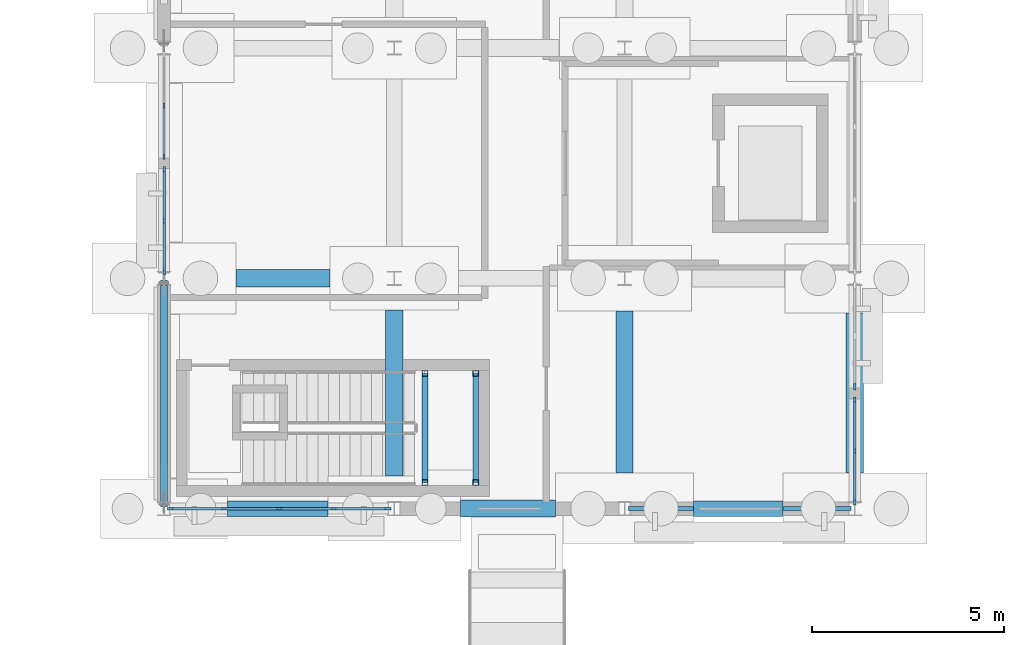
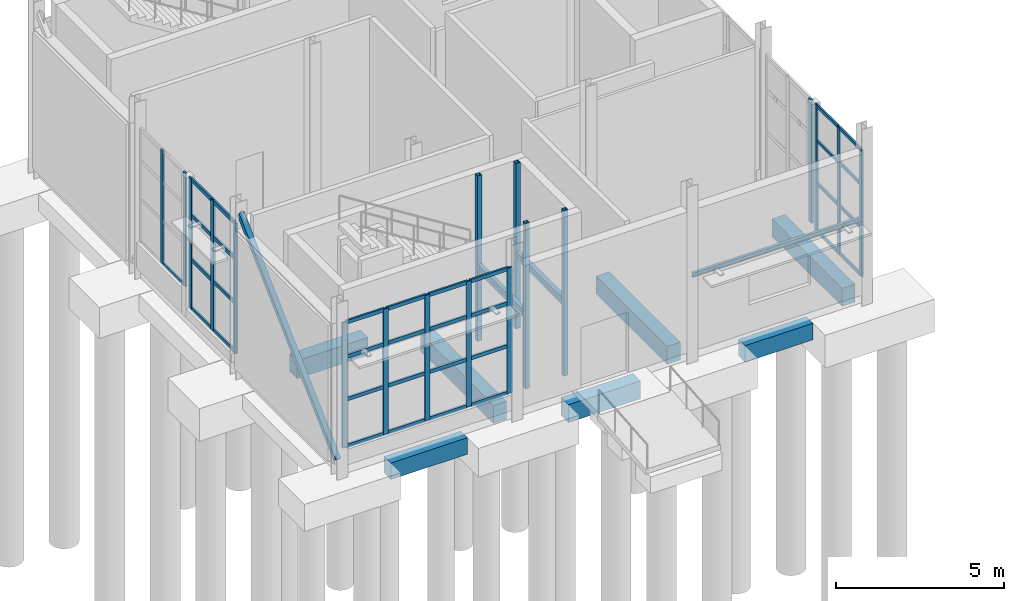
# One storey, part 50 of 120: 52 members, 10 beams, 5 elements without a shape of their own.
"""IFC4 building model written with IfcOpenShell, lengths in metres."""

from ifc_helpers import new_model, si_unit, direction, frame, origin, origin_2d, place, context, subcontext, project, spatial, rectangle, hollow_rectangle, i_section, extrude, material, material_profile, profile_set, type_object, element, aggregate, save


model = new_model("IFC4")

# Units and contexts
model_context = context("Model", 3, precision=1e-05, world=origin(), true_north=direction((0.0, 1.0)))
body_context = subcontext(model_context, "Body", "Model", "MODEL_VIEW")
ifc_project = project(units=[si_unit("LENGTHUNIT", "METRE"), si_unit("AREAUNIT", "SQUARE_METRE"), si_unit("VOLUMEUNIT", "CUBIC_METRE"), si_unit("PLANEANGLEUNIT", "RADIAN"), si_unit("MASSUNIT", "GRAM", prefix="KILO")], contexts=[model_context])

# Site, building, storey
site_placement = place(None, origin())
site = spatial("IfcSite", under=ifc_project, at=site_placement, CompositionType="ELEMENT")
building_placement = place(site_placement, origin())
building = spatial("IfcBuilding", under=site, at=building_placement, Name="Siltcreek Boulevard Central Fire Station", CompositionType="ELEMENT")
storey_placement = place(building_placement, origin())
storey = spatial("IfcBuildingStorey", under=building, at=storey_placement, Name="L01", CompositionType="ELEMENT", Elevation=0.0)

# Members
ifc_material_1 = material(Name="Structural steel ASTM A500 GrC", Category="steel")
ifc_material_profile_1 = material_profile(ifc_material_1, hollow_rectangle(XDim=0.14990234375, YDim=0.14990234375, WallThickness=0.008056640625, at=origin_2d()), Name="HSS150X150X8.0")
ifc_profile_set_1 = profile_set([ifc_material_profile_1], Name="Structural steel ASTM A500 GrC")
member_type_1 = type_object("IfcMemberType", Name="BR_HSS150_8", PredefinedType="BRACE", material=ifc_profile_set_1)
for number, where, z_axis, x_axis, name in (
    (1, (48.800048828125, 94.8798828125, 0.0), (0.0, 0.0, 1.0), (1.0, 0.0, 0.0), "L01 ST-V3A stair landing corner post SW"),
    (2, (48.800048828125, 97.719970703125, 0.0), (0.0, 0.0, 1.0), (1.0, 0.0, 0.0), "L01 ST-V3A stair landing corner post NW"),
    (3, (50.1201171875, 94.8798828125, 0.0), (0.0, 0.0, 1.0), (1.0, 0.0, 0.0), "L01 ST-V3A stair landing corner post SE"),
    (4, (50.1201171875, 97.719970703125, 0.0), (0.0, 0.0, 1.0), (1.0, 0.0, 0.0), "L01 ST-V3A stair landing corner post NE"),
):
    element("IfcMember", number, at=place(storey_placement, frame(where, z_axis=z_axis, x_axis=x_axis)), inside=storey, type_object=member_type_1, Name=name, PredefinedType="BRACE", context=body_context, shape_type="SweptSolid", body=[
        extrude(hollow_rectangle(XDim=0.14990234375, YDim=0.14990234375, WallThickness=0.008056640625, at=origin_2d()), origin(), (0.0, 0.0, 1.0), 6.0),
    ])
ifc_material_profile_2 = material_profile(ifc_material_1, hollow_rectangle(XDim=0.179931640625, YDim=0.179931640625, WallThickness=0.008056640625, at=origin_2d()), Name="HSS180X180X8.0")
ifc_profile_set_2 = profile_set([ifc_material_profile_2], Name="Structural steel ASTM A500 GrC")
member_type_2 = type_object("IfcMemberType", Name="BR_HSS180", PredefinedType="BRACE", material=ifc_profile_set_2)
member_1_placement = place(storey_placement, frame((42.0, 94.320068359375, 0.10009765625), z_axis=(0.0, 0.726386990368, 0.687285923197), x_axis=(-1.0, 0.0, 0.0)))
element("IfcMember", 5, at=member_1_placement, inside=storey, type_object=member_type_2, Name="L01 SCBF concentrically braced frame BR-013", PredefinedType="BRACE", context=body_context, shape_type="SweptSolid", body=[
    extrude(hollow_rectangle(XDim=0.179931640625, YDim=0.179931640625, WallThickness=0.008056640625, at=origin_2d()), origin(), (0.0, 0.0, 1.0), 7.9296875),
])

# Curtain wall, members
ifc_material_2 = material(Name="Anodized aluminum and low-E insulated glazing", Category="aluminium")
curtain_wall_type_1 = type_object("IfcCurtainWallType", Name="CW_SYS_30", PredefinedType="USERDEFINED", material=ifc_material_2)
curtain_wall_1_placement = place(storey_placement, origin())
curtain_wall_1 = element("IfcCurtainWall", 6, at=curtain_wall_1_placement, inside=storey, type_object=curtain_wall_type_1, Name="L01 V3 unitised curtain wall CW-029", ObjectType="CURTAIN WALL", PredefinedType="USERDEFINED")
ifc_material_3 = material(Name="Anodized 6063-T6 aluminum framing", Category="aluminium")
ifc_material_profile_3 = material_profile(ifc_material_3, rectangle(XDim=0.06005859375, YDim=0.14990234375, at=origin_2d()), Name="MULL60X150")
ifc_profile_set_3 = profile_set([ifc_material_profile_3], Name="Anodized 6063-T6 aluminum framing")
member_type_3 = type_object("IfcMemberType", Name="CWM_60X150", PredefinedType="MULLION", material=ifc_profile_set_3)
member_2_placement = place(storey_placement, frame((42.0, 104.697509765625, 0.919921875), z_axis=(0.0, 0.0, 1.0), x_axis=(1.0, 0.0, 0.0)))
member_2 = element("IfcMember", 7, at=member_2_placement, type_object=member_type_3, Name="CW-029 mullion 2", PredefinedType="MULLION", context=body_context, shape_type="SweptSolid", body=[
    extrude(rectangle(XDim=0.06005859375, YDim=0.14990234375, at=origin_2d()), origin(), (0.0, 0.0, 1.0), 4.1240234375),
])
member_3_placement = place(storey_placement, frame((42.0, 103.3701171875, 0.919921875), z_axis=(0.0, 0.0, 1.0), x_axis=(1.0, 0.0, 0.0)))
member_3 = element("IfcMember", 8, at=member_3_placement, type_object=member_type_3, Name="CW-029 mullion 3", PredefinedType="MULLION", context=body_context, shape_type="SweptSolid", body=[
    extrude(rectangle(XDim=0.06005859375, YDim=0.14990234375, at=origin_2d()), origin(), (0.0, 0.0, 1.0), 4.1240234375),
])

curtain_wall_type_2 = type_object("IfcCurtainWallType", Name="CW_SYS_02", PredefinedType="USERDEFINED", material=ifc_material_2)
curtain_wall_2_placement = place(storey_placement, origin())
curtain_wall_2 = element("IfcCurtainWall", 9, at=curtain_wall_2_placement, inside=storey, type_object=curtain_wall_type_2, Name="L01 V3 unitised curtain wall CW-031", ObjectType="CURTAIN WALL", PredefinedType="USERDEFINED")
member_4_placement = place(storey_placement, frame((60.0, 94.375, 0.43994140625), z_axis=(0.0, 0.0, 1.0), x_axis=(-1.0, 0.0, 0.0)))
member_4 = element("IfcMember", 10, at=member_4_placement, type_object=member_type_3, Name="CW-031 mullion 1", PredefinedType="MULLION", context=body_context, shape_type="SweptSolid", body=[
    extrude(rectangle(XDim=0.06005859375, YDim=0.14990234375, at=origin_2d()), origin(), (0.0, 0.0, 1.0), 4.60400390625),
])
member_5_placement = place(storey_placement, frame((60.0, 95.702392578125, 0.43994140625), z_axis=(0.0, 0.0, 1.0), x_axis=(-1.0, 0.0, 0.0)))
member_5 = element("IfcMember", 11, at=member_5_placement, type_object=member_type_3, Name="CW-031 mullion 2", PredefinedType="MULLION", context=body_context, shape_type="SweptSolid", body=[
    extrude(rectangle(XDim=0.06005859375, YDim=0.14990234375, at=origin_2d()), origin(), (0.0, 0.0, 1.0), 4.60400390625),
])
member_6_placement = place(storey_placement, frame((60.0, 97.030029296875, 0.43994140625), z_axis=(0.0, 0.0, 1.0), x_axis=(-1.0, 0.0, 0.0)))
member_6 = element("IfcMember", 12, at=member_6_placement, type_object=member_type_3, Name="CW-031 mullion 3", PredefinedType="MULLION", context=body_context, shape_type="SweptSolid", body=[
    extrude(rectangle(XDim=0.06005859375, YDim=0.14990234375, at=origin_2d()), origin(), (0.0, 0.0, 1.0), 4.60400390625),
])

curtain_wall_type_3 = type_object("IfcCurtainWallType", Name="CW_SYS_27", PredefinedType="USERDEFINED", material=ifc_material_2)
curtain_wall_3_placement = place(storey_placement, origin())
curtain_wall_3 = element("IfcCurtainWall", 13, at=curtain_wall_3_placement, inside=storey, type_object=curtain_wall_type_3, Name="L01 V3 unitised curtain wall CW-026", ObjectType="CURTAIN WALL", PredefinedType="USERDEFINED")
ifc_material_profile_4 = material_profile(ifc_material_3, rectangle(XDim=0.06494140625, YDim=0.175048828125, at=origin_2d()), Name="MULL65X175")
ifc_profile_set_4 = profile_set([ifc_material_profile_4], Name="Anodized 6063-T6 aluminum framing")
member_type_4 = type_object("IfcMemberType", Name="CWM_65X175", PredefinedType="MULLION", material=ifc_profile_set_4)
member_7_placement = place(storey_placement, frame((42.177490234375, 94.199951171875, 0.56005859375), z_axis=(0.0, 0.0, 1.0), x_axis=(0.0, 1.0, 0.0)))
member_7 = element("IfcMember", 14, at=member_7_placement, type_object=member_type_4, Name="CW-026 mullion 1", PredefinedType="MULLION", context=body_context, shape_type="SweptSolid", body=[
    extrude(rectangle(XDim=0.06494140625, YDim=0.175048828125, at=origin_2d()), origin(), (0.0, 0.0, 1.0), 4.552978515625),
])
member_8_placement = place(storey_placement, frame((43.572509765625, 94.199951171875, 0.56005859375), z_axis=(0.0, 0.0, 1.0), x_axis=(0.0, 1.0, 0.0)))
member_8 = element("IfcMember", 15, at=member_8_placement, type_object=member_type_4, Name="CW-026 mullion 2", PredefinedType="MULLION", context=body_context, shape_type="SweptSolid", body=[
    extrude(rectangle(XDim=0.06494140625, YDim=0.175048828125, at=origin_2d()), origin(), (0.0, 0.0, 1.0), 4.552978515625),
])
member_9_placement = place(storey_placement, frame((45.0, 94.199951171875, 0.56005859375), z_axis=(0.0, 0.0, 1.0), x_axis=(0.0, 1.0, 0.0)))
member_9 = element("IfcMember", 16, at=member_9_placement, type_object=member_type_4, Name="CW-026 mullion 3", PredefinedType="MULLION", context=body_context, shape_type="SweptSolid", body=[
    extrude(rectangle(XDim=0.06494140625, YDim=0.175048828125, at=origin_2d()), origin(), (0.0, 0.0, 1.0), 4.552978515625),
])
member_10_placement = place(storey_placement, frame((46.427490234375, 94.199951171875, 0.56005859375), z_axis=(0.0, 0.0, 1.0), x_axis=(0.0, 1.0, 0.0)))
member_10 = element("IfcMember", 17, at=member_10_placement, type_object=member_type_4, Name="CW-026 mullion 4", PredefinedType="MULLION", context=body_context, shape_type="SweptSolid", body=[
    extrude(rectangle(XDim=0.06494140625, YDim=0.175048828125, at=origin_2d()), origin(), (0.0, 0.0, 1.0), 4.552978515625),
])
member_11_placement = place(storey_placement, frame((47.822509765625, 94.199951171875, 0.56005859375), z_axis=(0.0, 0.0, 1.0), x_axis=(0.0, 1.0, 0.0)))
member_11 = element("IfcMember", 18, at=member_11_placement, type_object=member_type_4, Name="CW-026 mullion 5", PredefinedType="MULLION", context=body_context, shape_type="SweptSolid", body=[
    extrude(rectangle(XDim=0.06494140625, YDim=0.175048828125, at=origin_2d()), origin(), (0.0, 0.0, 1.0), 4.552978515625),
])

curtain_wall_type_4 = type_object("IfcCurtainWallType", Name="CW_SYS_01", PredefinedType="USERDEFINED", material=ifc_material_2)
curtain_wall_4_placement = place(storey_placement, origin())
curtain_wall_4 = element("IfcCurtainWall", 19, at=curtain_wall_4_placement, inside=storey, type_object=curtain_wall_type_4, Name="L01 V3 unitised curtain wall CW-030", ObjectType="CURTAIN WALL", PredefinedType="USERDEFINED")
member_12_placement = place(storey_placement, frame((42.0, 103.027587890625, 0.320068359375), z_axis=(0.0, 0.0, 1.0), x_axis=(1.0, 0.0, 0.0)))
member_12 = element("IfcMember", 20, at=member_12_placement, type_object=member_type_4, Name="CW-030 mullion 1", PredefinedType="MULLION", context=body_context, shape_type="SweptSolid", body=[
    extrude(rectangle(XDim=0.06494140625, YDim=0.175048828125, at=origin_2d()), origin(), (0.0, 0.0, 1.0), 4.723876953125),
])
member_13_placement = place(storey_placement, frame((42.0, 101.702392578125, 0.320068359375), z_axis=(0.0, 0.0, 1.0), x_axis=(1.0, 0.0, 0.0)))
member_13 = element("IfcMember", 21, at=member_13_placement, type_object=member_type_4, Name="CW-030 mullion 2", PredefinedType="MULLION", context=body_context, shape_type="SweptSolid", body=[
    extrude(rectangle(XDim=0.06494140625, YDim=0.175048828125, at=origin_2d()), origin(), (0.0, 0.0, 1.0), 4.723876953125),
])
member_14_placement = place(storey_placement, frame((42.0, 100.37744140625, 0.320068359375), z_axis=(0.0, 0.0, 1.0), x_axis=(1.0, 0.0, 0.0)))
member_14 = element("IfcMember", 22, at=member_14_placement, type_object=member_type_4, Name="CW-030 mullion 3", PredefinedType="MULLION", context=body_context, shape_type="SweptSolid", body=[
    extrude(rectangle(XDim=0.06494140625, YDim=0.175048828125, at=origin_2d()), origin(), (0.0, 0.0, 1.0), 4.723876953125),
])

# Curtain wall, member
curtain_wall_type_5 = type_object("IfcCurtainWallType", Name="CW_SYS_03", PredefinedType="USERDEFINED", material=ifc_material_2)
curtain_wall_5_placement = place(storey_placement, origin())
curtain_wall_5 = element("IfcCurtainWall", 23, at=curtain_wall_5_placement, inside=storey, type_object=curtain_wall_type_5, Name="L01 V3 unitised curtain wall CW-032", ObjectType="CURTAIN WALL", PredefinedType="USERDEFINED")
member_15_placement = place(storey_placement, frame((60.0, 97.37255859375, 0.56005859375), z_axis=(0.0, 0.0, 1.0), x_axis=(-1.0, 0.0, 0.0)))
member_15 = element("IfcMember", 24, at=member_15_placement, type_object=member_type_4, Name="CW-032 mullion 1", PredefinedType="MULLION", context=body_context, shape_type="SweptSolid", body=[
    extrude(rectangle(XDim=0.06494140625, YDim=0.175048828125, at=origin_2d()), origin(), (0.0, 0.0, 1.0), 4.48388671875),
])
aggregate(curtain_wall_5, [member_15])

# Member
ifc_material_profile_5 = material_profile(ifc_material_3, rectangle(XDim=0.06005859375, YDim=0.114990234375, at=origin_2d()), Name="TRAN60X115")
ifc_profile_set_5 = profile_set([ifc_material_profile_5], Name="Anodized 6063-T6 aluminum framing")
member_type_5 = type_object("IfcMemberType", Name="CWT_60X115", PredefinedType="USERDEFINED", material=ifc_profile_set_5)
member_16_placement = place(storey_placement, frame((42.0, 104.66748046875, 0.949951171875), z_axis=(0.0, -1.0, 0.0), x_axis=(1.0, 0.0, 0.0)))
member_16 = element("IfcMember", 25, at=member_16_placement, type_object=member_type_5, Name="CW-029 transom 2.1", ObjectType="TRANSOM", PredefinedType="USERDEFINED", context=body_context, shape_type="SweptSolid", body=[
    extrude(rectangle(XDim=0.06005859375, YDim=0.114990234375, at=origin_2d()), origin(), (0.0, 0.0, 1.0), 1.267578125),
])

aggregate(curtain_wall_1, [member_2, member_3, member_16])

member_17_placement = place(storey_placement, frame((60.0, 94.405029296875, 0.469970703125), z_axis=(0.0, 1.0, 0.0), x_axis=(-1.0, 0.0, 0.0)))
member_17 = element("IfcMember", 26, at=member_17_placement, type_object=member_type_5, Name="CW-031 transom 1.1", ObjectType="TRANSOM", PredefinedType="USERDEFINED", context=body_context, shape_type="SweptSolid", body=[
    extrude(rectangle(XDim=0.06005859375, YDim=0.114990234375, at=origin_2d()), origin(), (0.0, 0.0, 1.0), 1.267578125),
])

member_18_placement = place(storey_placement, frame((60.0, 94.405029296875, 2.189453125), z_axis=(0.0, 1.0, 0.0), x_axis=(-1.0, 0.0, 0.0)))
member_18 = element("IfcMember", 27, at=member_18_placement, type_object=member_type_5, Name="CW-031 transom 1.2", ObjectType="TRANSOM", PredefinedType="USERDEFINED", context=body_context, shape_type="SweptSolid", body=[
    extrude(rectangle(XDim=0.06005859375, YDim=0.114990234375, at=origin_2d()), origin(), (0.0, 0.0, 1.0), 1.267578125),
])

member_19_placement = place(storey_placement, frame((60.0, 94.405029296875, 3.7548828125), z_axis=(0.0, 1.0, 0.0), x_axis=(-1.0, 0.0, 0.0)))
member_19 = element("IfcMember", 28, at=member_19_placement, type_object=member_type_5, Name="CW-031 transom 1.3", ObjectType="TRANSOM", PredefinedType="USERDEFINED", context=body_context, shape_type="SweptSolid", body=[
    extrude(rectangle(XDim=0.06005859375, YDim=0.114990234375, at=origin_2d()), origin(), (0.0, 0.0, 1.0), 1.267578125),
])

member_20_placement = place(storey_placement, frame((60.0, 94.405029296875, 5.013916015625), z_axis=(0.0, 1.0, 0.0), x_axis=(-1.0, 0.0, 0.0)))
member_20 = element("IfcMember", 29, at=member_20_placement, type_object=member_type_5, Name="CW-031 transom 1.4", ObjectType="TRANSOM", PredefinedType="USERDEFINED", context=body_context, shape_type="SweptSolid", body=[
    extrude(rectangle(XDim=0.06005859375, YDim=0.114990234375, at=origin_2d()), origin(), (0.0, 0.0, 1.0), 1.267578125),
])

member_21_placement = place(storey_placement, frame((60.0, 95.732421875, 0.469970703125), z_axis=(0.0, 1.0, 0.0), x_axis=(-1.0, 0.0, 0.0)))
member_21 = element("IfcMember", 30, at=member_21_placement, type_object=member_type_5, Name="CW-031 transom 2.1", ObjectType="TRANSOM", PredefinedType="USERDEFINED", context=body_context, shape_type="SweptSolid", body=[
    extrude(rectangle(XDim=0.06005859375, YDim=0.114990234375, at=origin_2d()), origin(), (0.0, 0.0, 1.0), 1.267578125),
])

member_22_placement = place(storey_placement, frame((60.0, 95.732421875, 2.189453125), z_axis=(0.0, 1.0, 0.0), x_axis=(-1.0, 0.0, 0.0)))
member_22 = element("IfcMember", 31, at=member_22_placement, type_object=member_type_5, Name="CW-031 transom 2.2", ObjectType="TRANSOM", PredefinedType="USERDEFINED", context=body_context, shape_type="SweptSolid", body=[
    extrude(rectangle(XDim=0.06005859375, YDim=0.114990234375, at=origin_2d()), origin(), (0.0, 0.0, 1.0), 1.267578125),
])

member_23_placement = place(storey_placement, frame((60.0, 95.732421875, 3.7548828125), z_axis=(0.0, 1.0, 0.0), x_axis=(-1.0, 0.0, 0.0)))
member_23 = element("IfcMember", 32, at=member_23_placement, type_object=member_type_5, Name="CW-031 transom 2.3", ObjectType="TRANSOM", PredefinedType="USERDEFINED", context=body_context, shape_type="SweptSolid", body=[
    extrude(rectangle(XDim=0.06005859375, YDim=0.114990234375, at=origin_2d()), origin(), (0.0, 0.0, 1.0), 1.267578125),
])

member_24_placement = place(storey_placement, frame((60.0, 95.732421875, 5.013916015625), z_axis=(0.0, 1.0, 0.0), x_axis=(-1.0, 0.0, 0.0)))
member_24 = element("IfcMember", 33, at=member_24_placement, type_object=member_type_5, Name="CW-031 transom 2.4", ObjectType="TRANSOM", PredefinedType="USERDEFINED", context=body_context, shape_type="SweptSolid", body=[
    extrude(rectangle(XDim=0.06005859375, YDim=0.114990234375, at=origin_2d()), origin(), (0.0, 0.0, 1.0), 1.267578125),
])

aggregate(curtain_wall_2, [member_4, member_5, member_6, member_17, member_18, member_19, member_20, member_21, member_22, member_23, member_24])

ifc_material_profile_6 = material_profile(ifc_material_3, rectangle(XDim=0.06494140625, YDim=0.135009765625, at=origin_2d()), Name="TRAN65X135")
ifc_profile_set_6 = profile_set([ifc_material_profile_6], Name="Anodized 6063-T6 aluminum framing")
member_type_6 = type_object("IfcMemberType", Name="CWT_65X135", PredefinedType="USERDEFINED", material=ifc_profile_set_6)
member_25_placement = place(storey_placement, frame((42.2099609375, 94.199951171875, 0.592529296875), z_axis=(1.0, 0.0, 0.0), x_axis=(0.0, 1.0, 0.0)))
member_25 = element("IfcMember", 34, at=member_25_placement, type_object=member_type_6, Name="CW-026 transom 1.1", ObjectType="TRANSOM", PredefinedType="USERDEFINED", context=body_context, shape_type="SweptSolid", body=[
    extrude(rectangle(XDim=0.06494140625, YDim=0.135009765625, at=origin_2d()), origin(), (0.0, 0.0, 1.0), 1.330078125),
])

member_26_placement = place(storey_placement, frame((42.2099609375, 94.199951171875, 2.2900390625), z_axis=(1.0, 0.0, 0.0), x_axis=(0.0, 1.0, 0.0)))
member_26 = element("IfcMember", 35, at=member_26_placement, type_object=member_type_6, Name="CW-026 transom 1.2", ObjectType="TRANSOM", PredefinedType="USERDEFINED", context=body_context, shape_type="SweptSolid", body=[
    extrude(rectangle(XDim=0.06494140625, YDim=0.135009765625, at=origin_2d()), origin(), (0.0, 0.0, 1.0), 1.330078125),
])

member_27_placement = place(storey_placement, frame((42.2099609375, 94.199951171875, 3.838134765625), z_axis=(1.0, 0.0, 0.0), x_axis=(0.0, 1.0, 0.0)))
member_27 = element("IfcMember", 36, at=member_27_placement, type_object=member_type_6, Name="CW-026 transom 1.3", ObjectType="TRANSOM", PredefinedType="USERDEFINED", context=body_context, shape_type="SweptSolid", body=[
    extrude(rectangle(XDim=0.06494140625, YDim=0.135009765625, at=origin_2d()), origin(), (0.0, 0.0, 1.0), 1.330078125),
])

member_28_placement = place(storey_placement, frame((42.2099609375, 94.199951171875, 5.08056640625), z_axis=(1.0, 0.0, 0.0), x_axis=(0.0, 1.0, 0.0)))
member_28 = element("IfcMember", 37, at=member_28_placement, type_object=member_type_6, Name="CW-026 transom 1.4", ObjectType="TRANSOM", PredefinedType="USERDEFINED", context=body_context, shape_type="SweptSolid", body=[
    extrude(rectangle(XDim=0.06494140625, YDim=0.135009765625, at=origin_2d()), origin(), (0.0, 0.0, 1.0), 1.330078125),
])

member_29_placement = place(storey_placement, frame((43.60498046875, 94.199951171875, 0.592529296875), z_axis=(1.0, 0.0, 0.0), x_axis=(0.0, 1.0, 0.0)))
member_29 = element("IfcMember", 38, at=member_29_placement, type_object=member_type_6, Name="CW-026 transom 2.1", ObjectType="TRANSOM", PredefinedType="USERDEFINED", context=body_context, shape_type="SweptSolid", body=[
    extrude(rectangle(XDim=0.06494140625, YDim=0.135009765625, at=origin_2d()), origin(), (0.0, 0.0, 1.0), 1.362548828125),
])

member_30_placement = place(storey_placement, frame((43.60498046875, 94.199951171875, 2.2900390625), z_axis=(1.0, 0.0, 0.0), x_axis=(0.0, 1.0, 0.0)))
member_30 = element("IfcMember", 39, at=member_30_placement, type_object=member_type_6, Name="CW-026 transom 2.2", ObjectType="TRANSOM", PredefinedType="USERDEFINED", context=body_context, shape_type="SweptSolid", body=[
    extrude(rectangle(XDim=0.06494140625, YDim=0.135009765625, at=origin_2d()), origin(), (0.0, 0.0, 1.0), 1.362548828125),
])

member_31_placement = place(storey_placement, frame((43.60498046875, 94.199951171875, 3.838134765625), z_axis=(1.0, 0.0, 0.0), x_axis=(0.0, 1.0, 0.0)))
member_31 = element("IfcMember", 40, at=member_31_placement, type_object=member_type_6, Name="CW-026 transom 2.3", ObjectType="TRANSOM", PredefinedType="USERDEFINED", context=body_context, shape_type="SweptSolid", body=[
    extrude(rectangle(XDim=0.06494140625, YDim=0.135009765625, at=origin_2d()), origin(), (0.0, 0.0, 1.0), 1.362548828125),
])

member_32_placement = place(storey_placement, frame((43.60498046875, 94.199951171875, 5.08056640625), z_axis=(1.0, 0.0, 0.0), x_axis=(0.0, 1.0, 0.0)))
member_32 = element("IfcMember", 41, at=member_32_placement, type_object=member_type_6, Name="CW-026 transom 2.4", ObjectType="TRANSOM", PredefinedType="USERDEFINED", context=body_context, shape_type="SweptSolid", body=[
    extrude(rectangle(XDim=0.06494140625, YDim=0.135009765625, at=origin_2d()), origin(), (0.0, 0.0, 1.0), 1.362548828125),
])

member_33_placement = place(storey_placement, frame((45.032470703125, 94.199951171875, 0.592529296875), z_axis=(1.0, 0.0, 0.0), x_axis=(0.0, 1.0, 0.0)))
member_33 = element("IfcMember", 42, at=member_33_placement, type_object=member_type_6, Name="CW-026 transom 3.1", ObjectType="TRANSOM", PredefinedType="USERDEFINED", context=body_context, shape_type="SweptSolid", body=[
    extrude(rectangle(XDim=0.06494140625, YDim=0.135009765625, at=origin_2d()), origin(), (0.0, 0.0, 1.0), 1.362548828125),
])

member_34_placement = place(storey_placement, frame((45.032470703125, 94.199951171875, 2.2900390625), z_axis=(1.0, 0.0, 0.0), x_axis=(0.0, 1.0, 0.0)))
member_34 = element("IfcMember", 43, at=member_34_placement, type_object=member_type_6, Name="CW-026 transom 3.2", ObjectType="TRANSOM", PredefinedType="USERDEFINED", context=body_context, shape_type="SweptSolid", body=[
    extrude(rectangle(XDim=0.06494140625, YDim=0.135009765625, at=origin_2d()), origin(), (0.0, 0.0, 1.0), 1.362548828125),
])

member_35_placement = place(storey_placement, frame((45.032470703125, 94.199951171875, 3.838134765625), z_axis=(1.0, 0.0, 0.0), x_axis=(0.0, 1.0, 0.0)))
member_35 = element("IfcMember", 44, at=member_35_placement, type_object=member_type_6, Name="CW-026 transom 3.3", ObjectType="TRANSOM", PredefinedType="USERDEFINED", context=body_context, shape_type="SweptSolid", body=[
    extrude(rectangle(XDim=0.06494140625, YDim=0.135009765625, at=origin_2d()), origin(), (0.0, 0.0, 1.0), 1.362548828125),
])

member_36_placement = place(storey_placement, frame((45.032470703125, 94.199951171875, 5.08056640625), z_axis=(1.0, 0.0, 0.0), x_axis=(0.0, 1.0, 0.0)))
member_36 = element("IfcMember", 45, at=member_36_placement, type_object=member_type_6, Name="CW-026 transom 3.4", ObjectType="TRANSOM", PredefinedType="USERDEFINED", context=body_context, shape_type="SweptSolid", body=[
    extrude(rectangle(XDim=0.06494140625, YDim=0.135009765625, at=origin_2d()), origin(), (0.0, 0.0, 1.0), 1.362548828125),
])

member_37_placement = place(storey_placement, frame((46.4599609375, 94.199951171875, 0.592529296875), z_axis=(1.0, 0.0, 0.0), x_axis=(0.0, 1.0, 0.0)))
member_37 = element("IfcMember", 46, at=member_37_placement, type_object=member_type_6, Name="CW-026 transom 4.1", ObjectType="TRANSOM", PredefinedType="USERDEFINED", context=body_context, shape_type="SweptSolid", body=[
    extrude(rectangle(XDim=0.06494140625, YDim=0.135009765625, at=origin_2d()), origin(), (0.0, 0.0, 1.0), 1.330078125),
])

member_38_placement = place(storey_placement, frame((46.4599609375, 94.199951171875, 2.2900390625), z_axis=(1.0, 0.0, 0.0), x_axis=(0.0, 1.0, 0.0)))
member_38 = element("IfcMember", 47, at=member_38_placement, type_object=member_type_6, Name="CW-026 transom 4.2", ObjectType="TRANSOM", PredefinedType="USERDEFINED", context=body_context, shape_type="SweptSolid", body=[
    extrude(rectangle(XDim=0.06494140625, YDim=0.135009765625, at=origin_2d()), origin(), (0.0, 0.0, 1.0), 1.330078125),
])

member_39_placement = place(storey_placement, frame((46.4599609375, 94.199951171875, 3.838134765625), z_axis=(1.0, 0.0, 0.0), x_axis=(0.0, 1.0, 0.0)))
member_39 = element("IfcMember", 48, at=member_39_placement, type_object=member_type_6, Name="CW-026 transom 4.3", ObjectType="TRANSOM", PredefinedType="USERDEFINED", context=body_context, shape_type="SweptSolid", body=[
    extrude(rectangle(XDim=0.06494140625, YDim=0.135009765625, at=origin_2d()), origin(), (0.0, 0.0, 1.0), 1.330078125),
])

member_40_placement = place(storey_placement, frame((46.4599609375, 94.199951171875, 5.08056640625), z_axis=(1.0, 0.0, 0.0), x_axis=(0.0, 1.0, 0.0)))
member_40 = element("IfcMember", 49, at=member_40_placement, type_object=member_type_6, Name="CW-026 transom 4.4", ObjectType="TRANSOM", PredefinedType="USERDEFINED", context=body_context, shape_type="SweptSolid", body=[
    extrude(rectangle(XDim=0.06494140625, YDim=0.135009765625, at=origin_2d()), origin(), (0.0, 0.0, 1.0), 1.330078125),
])

aggregate(curtain_wall_3, [member_7, member_8, member_9, member_10, member_11, member_25, member_26, member_27, member_28, member_29, member_30, member_31, member_32, member_33, member_34, member_35, member_36, member_37, member_38, member_39, member_40])

member_41_placement = place(storey_placement, frame((42.0, 102.9951171875, 0.3525390625), z_axis=(0.0, -1.0, 0.0), x_axis=(1.0, 0.0, 0.0)))
member_41 = element("IfcMember", 50, at=member_41_placement, type_object=member_type_6, Name="CW-030 transom 1.1", ObjectType="TRANSOM", PredefinedType="USERDEFINED", context=body_context, shape_type="SweptSolid", body=[
    extrude(rectangle(XDim=0.06494140625, YDim=0.135009765625, at=origin_2d()), origin(), (0.0, 0.0, 1.0), 1.260009765625),
])

member_42_placement = place(storey_placement, frame((42.0, 102.9951171875, 2.114990234375), z_axis=(0.0, -1.0, 0.0), x_axis=(1.0, 0.0, 0.0)))
member_42 = element("IfcMember", 51, at=member_42_placement, type_object=member_type_6, Name="CW-030 transom 1.2", ObjectType="TRANSOM", PredefinedType="USERDEFINED", context=body_context, shape_type="SweptSolid", body=[
    extrude(rectangle(XDim=0.06494140625, YDim=0.135009765625, at=origin_2d()), origin(), (0.0, 0.0, 1.0), 1.260009765625),
])

member_43_placement = place(storey_placement, frame((42.0, 102.9951171875, 3.72119140625), z_axis=(0.0, -1.0, 0.0), x_axis=(1.0, 0.0, 0.0)))
member_43 = element("IfcMember", 52, at=member_43_placement, type_object=member_type_6, Name="CW-030 transom 1.3", ObjectType="TRANSOM", PredefinedType="USERDEFINED", context=body_context, shape_type="SweptSolid", body=[
    extrude(rectangle(XDim=0.06494140625, YDim=0.135009765625, at=origin_2d()), origin(), (0.0, 0.0, 1.0), 1.260009765625),
])

member_44_placement = place(storey_placement, frame((42.0, 102.9951171875, 5.011474609375), z_axis=(0.0, -1.0, 0.0), x_axis=(1.0, 0.0, 0.0)))
member_44 = element("IfcMember", 53, at=member_44_placement, type_object=member_type_6, Name="CW-030 transom 1.4", ObjectType="TRANSOM", PredefinedType="USERDEFINED", context=body_context, shape_type="SweptSolid", body=[
    extrude(rectangle(XDim=0.06494140625, YDim=0.135009765625, at=origin_2d()), origin(), (0.0, 0.0, 1.0), 1.260009765625),
])

member_45_placement = place(storey_placement, frame((42.0, 101.669921875, 0.3525390625), z_axis=(0.0, -1.0, 0.0), x_axis=(1.0, 0.0, 0.0)))
member_45 = element("IfcMember", 54, at=member_45_placement, type_object=member_type_6, Name="CW-030 transom 2.1", ObjectType="TRANSOM", PredefinedType="USERDEFINED", context=body_context, shape_type="SweptSolid", body=[
    extrude(rectangle(XDim=0.06494140625, YDim=0.135009765625, at=origin_2d()), origin(), (0.0, 0.0, 1.0), 1.260009765625),
])

member_46_placement = place(storey_placement, frame((42.0, 101.669921875, 2.114990234375), z_axis=(0.0, -1.0, 0.0), x_axis=(1.0, 0.0, 0.0)))
member_46 = element("IfcMember", 55, at=member_46_placement, type_object=member_type_6, Name="CW-030 transom 2.2", ObjectType="TRANSOM", PredefinedType="USERDEFINED", context=body_context, shape_type="SweptSolid", body=[
    extrude(rectangle(XDim=0.06494140625, YDim=0.135009765625, at=origin_2d()), origin(), (0.0, 0.0, 1.0), 1.260009765625),
])

member_47_placement = place(storey_placement, frame((42.0, 101.669921875, 3.72119140625), z_axis=(0.0, -1.0, 0.0), x_axis=(1.0, 0.0, 0.0)))
member_47 = element("IfcMember", 56, at=member_47_placement, type_object=member_type_6, Name="CW-030 transom 2.3", ObjectType="TRANSOM", PredefinedType="USERDEFINED", context=body_context, shape_type="SweptSolid", body=[
    extrude(rectangle(XDim=0.06494140625, YDim=0.135009765625, at=origin_2d()), origin(), (0.0, 0.0, 1.0), 1.260009765625),
])

member_48_placement = place(storey_placement, frame((42.0, 101.669921875, 5.011474609375), z_axis=(0.0, -1.0, 0.0), x_axis=(1.0, 0.0, 0.0)))
member_48 = element("IfcMember", 57, at=member_48_placement, type_object=member_type_6, Name="CW-030 transom 2.4", ObjectType="TRANSOM", PredefinedType="USERDEFINED", context=body_context, shape_type="SweptSolid", body=[
    extrude(rectangle(XDim=0.06494140625, YDim=0.135009765625, at=origin_2d()), origin(), (0.0, 0.0, 1.0), 1.260009765625),
])

aggregate(curtain_wall_4, [member_12, member_13, member_14, member_41, member_42, member_43, member_44, member_45, member_46, member_47, member_48])

# Beams
ifc_material_4 = material(Name="Concrete C35/45", Category="concrete")
ifc_material_profile_7 = material_profile(ifc_material_4, rectangle(XDim=0.39990234375, YDim=0.60009765625, at=origin_2d()), Name="RC400X600")
ifc_profile_set_7 = profile_set([ifc_material_profile_7], Name="Concrete C35/45")
beam_type_1 = type_object("IfcBeamType", Name="GB_RC400X600", PredefinedType="USERDEFINED", material=ifc_profile_set_7)
beam_1_placement = place(storey_placement, frame((43.652099609375, 94.199951171875, -0.7099609375), z_axis=(1.0, 0.0, 0.0), x_axis=(0.0, 1.0, 0.0)))
element("IfcBeam", 58, at=beam_1_placement, inside=storey, type_object=beam_type_1, Name="Reinforced concrete tie grade beam GB-127", ObjectType="GRADE BEAM", PredefinedType="USERDEFINED", context=body_context, shape_type="SweptSolid", body=[
    extrude(rectangle(XDim=0.39990234375, YDim=0.60009765625, at=origin_2d()), origin(), (0.0, 0.0, 1.0), 2.620849609375),
])
beam_2_placement = place(storey_placement, frame((55.802001953125, 94.199951171875, -0.7099609375), z_axis=(1.0, 0.0, 0.0), x_axis=(0.0, 1.0, 0.0)))
element("IfcBeam", 59, at=beam_2_placement, inside=storey, type_object=beam_type_1, Name="Reinforced concrete tie grade beam GB-129", ObjectType="GRADE BEAM", PredefinedType="USERDEFINED", context=body_context, shape_type="SweptSolid", body=[
    extrude(rectangle(XDim=0.39990234375, YDim=0.60009765625, at=origin_2d()), origin(), (0.0, 0.0, 1.0), 2.321044921875),
])
ifc_material_profile_8 = material_profile(ifc_material_4, rectangle(XDim=0.449951171875, YDim=0.64990234375, at=origin_2d()), Name="RC450X650")
ifc_profile_set_8 = profile_set([ifc_material_profile_8], Name="Concrete C35/45")
beam_type_2 = type_object("IfcBeamType", Name="GB_RC450X650", PredefinedType="USERDEFINED", material=ifc_profile_set_8)
beam_3_placement = place(storey_placement, frame((49.72705078125, 94.199951171875, -0.735107421875), z_axis=(1.0, 0.0, 0.0), x_axis=(0.0, 1.0, 0.0)))
element("IfcBeam", 60, at=beam_3_placement, inside=storey, type_object=beam_type_2, Name="Reinforced concrete tie grade beam GB-128", ObjectType="GRADE BEAM", PredefinedType="USERDEFINED", context=body_context, shape_type="SweptSolid", body=[
    extrude(rectangle(XDim=0.449951171875, YDim=0.64990234375, at=origin_2d()), origin(), (0.0, 0.0, 1.0), 2.470947265625),
])
beam_4_placement = place(storey_placement, frame((43.876953125, 100.199951171875, -0.735107421875), z_axis=(1.0, 0.0, 0.0), x_axis=(0.0, 1.0, 0.0)))
element("IfcBeam", 61, at=beam_4_placement, inside=storey, type_object=beam_type_2, Name="Reinforced concrete tie grade beam GB-130", ObjectType="GRADE BEAM", PredefinedType="USERDEFINED", context=body_context, shape_type="SweptSolid", body=[
    extrude(rectangle(XDim=0.449951171875, YDim=0.64990234375, at=origin_2d()), origin(), (0.0, 0.0, 1.0), 2.446044921875),
])
beam_5_placement = place(storey_placement, frame((48.0, 95.052001953125, -0.735107421875), z_axis=(0.0, 1.0, 0.0), x_axis=(-1.0, 0.0, 0.0)))
element("IfcBeam", 62, at=beam_5_placement, inside=storey, type_object=beam_type_2, Name="Reinforced concrete tie grade beam GB-158", ObjectType="GRADE BEAM", PredefinedType="USERDEFINED", context=body_context, shape_type="SweptSolid", body=[
    extrude(rectangle(XDim=0.449951171875, YDim=0.64990234375, at=origin_2d()), origin(), (0.0, 0.0, 1.0), 4.321044921875),
])
beam_6_placement = place(storey_placement, frame((54.0, 95.126953125, -0.735107421875), z_axis=(0.0, 1.0, 0.0), x_axis=(-1.0, 0.0, 0.0)))
element("IfcBeam", 63, at=beam_6_placement, inside=storey, type_object=beam_type_2, Name="Reinforced concrete tie grade beam GB-166", ObjectType="GRADE BEAM", PredefinedType="USERDEFINED", context=body_context, shape_type="SweptSolid", body=[
    extrude(rectangle(XDim=0.449951171875, YDim=0.64990234375, at=origin_2d()), origin(), (0.0, 0.0, 1.0), 4.220947265625),
])
beam_7_placement = place(storey_placement, frame((60.0, 95.126953125, -0.735107421875), z_axis=(0.0, 1.0, 0.0), x_axis=(-1.0, 0.0, 0.0)))
element("IfcBeam", 64, at=beam_7_placement, inside=storey, type_object=beam_type_2, Name="Reinforced concrete tie grade beam GB-174", ObjectType="GRADE BEAM", PredefinedType="USERDEFINED", context=body_context, shape_type="SweptSolid", body=[
    extrude(rectangle(XDim=0.449951171875, YDim=0.64990234375, at=origin_2d()), origin(), (0.0, 0.0, 1.0), 4.171142578125),
])
ifc_material_5 = material(Name="Structural steel ASTM A992 Gr50", Category="steel")
ifc_material_profile_9 = material_profile(ifc_material_5, i_section(OverallWidth=0.14697265625, OverallDepth=0.261962890625, WebThickness=0.006591796875, FlangeThickness=0.01123046875, at=origin_2d()), Name="W250X39")
ifc_profile_set_9 = profile_set([ifc_material_profile_9], Name="Structural steel ASTM A992 Gr50")
beam_type_3 = type_object("IfcBeamType", Name="JST_W250X39", PredefinedType="JOIST", material=ifc_profile_set_9)
for number, where, z_axis, x_axis, name in (
    (65, (48.800048828125, 94.8798828125, 2.6689453125), (0.0, 1.0, 0.0), (-1.0, 0.0, 0.0), "L01 ST-V3A stair landing bearer MIDW"),
    (66, (50.1201171875, 94.8798828125, 2.6689453125), (0.0, 1.0, 0.0), (-1.0, 0.0, 0.0), "L01 ST-V3A stair landing bearer MIDE"),
):
    element("IfcBeam", number, at=place(storey_placement, frame(where, z_axis=z_axis, x_axis=x_axis)), inside=storey, type_object=beam_type_3, Name=name, PredefinedType="JOIST", context=body_context, shape_type="SweptSolid", body=[
        extrude(i_section(OverallWidth=0.14697265625, OverallDepth=0.261962890625, WebThickness=0.006591796875, FlangeThickness=0.01123046875, at=origin_2d()), origin(), (0.0, 0.0, 1.0), 2.840087890625),
    ])
ifc_material_profile_10 = material_profile(ifc_material_5, i_section(OverallWidth=0.10205078125, OverallDepth=0.159912109375, WebThickness=0.006591796875, FlangeThickness=0.01025390625, at=origin_2d()), Name="W150X24")
ifc_profile_set_10 = profile_set([ifc_material_profile_10], Name="Structural steel ASTM A992 Gr50")
beam_type_4 = type_object("IfcBeamType", Name="LIN_W150X24", PredefinedType="LINTEL", material=ifc_profile_set_10)
beam_8_placement = place(storey_placement, frame((54.10009765625, 94.199951171875, 2.639892578125), z_axis=(1.0, 0.0, 0.0), x_axis=(0.0, 1.0, 0.0)))
element("IfcBeam", 67, at=beam_8_placement, inside=storey, type_object=beam_type_4, Name="Exterior window steel lintel WLN-16", PredefinedType="LINTEL", context=body_context, shape_type="SweptSolid", body=[
    extrude(i_section(OverallWidth=0.10205078125, OverallDepth=0.159912109375, WebThickness=0.006591796875, FlangeThickness=0.01025390625, at=origin_2d()), origin(), (0.0, 0.0, 1.0), 5.7998046875),
])

save(model, "model.ifc")
